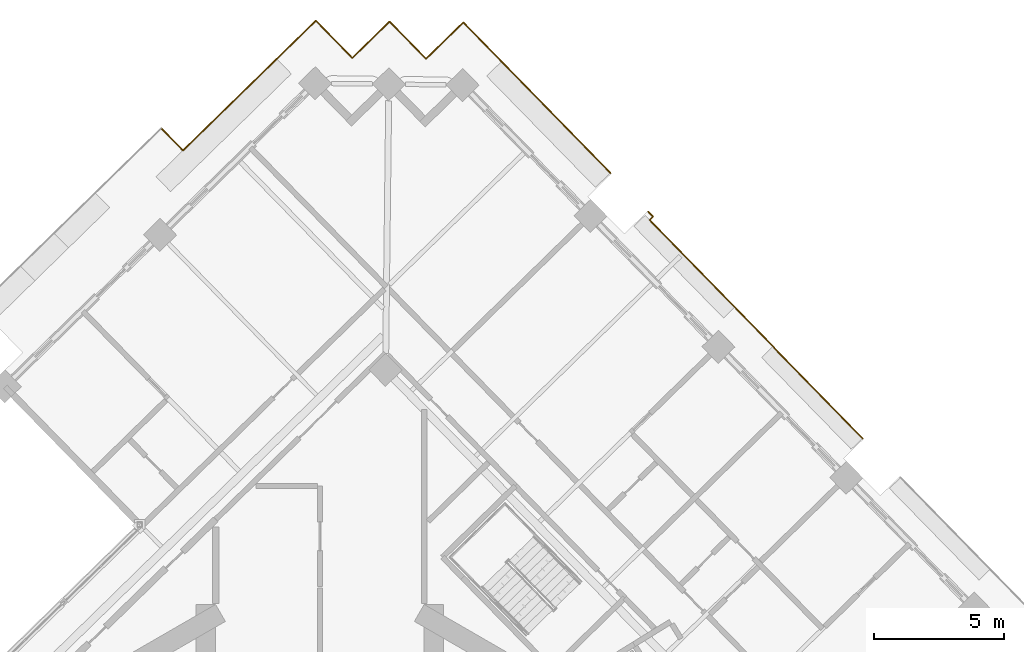
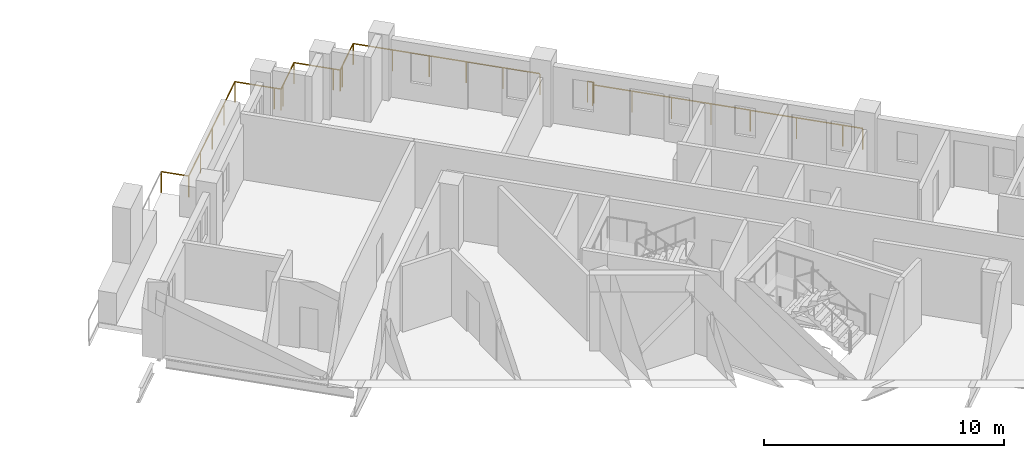
# One storey, part 20 of 21: 2 railings.
"""IFC4 building model written with IfcOpenShell, lengths in metres."""

from ifc_helpers import new_model, si_unit, direction, frame, origin, origin_2d, place, context, subcontext, project, spatial, circle, extrude, material, type_object, element, save


model = new_model("IFC4")

# Units and contexts
model_context = context("Model", 3, precision=1e-05, world=origin(), true_north=direction((0.0, 1.0)))
body_context = subcontext(model_context, "Body", "Model", "MODEL_VIEW")
ifc_project = project(units=[si_unit("LENGTHUNIT", "METRE"), si_unit("AREAUNIT", "SQUARE_METRE"), si_unit("VOLUMEUNIT", "CUBIC_METRE"), si_unit("PLANEANGLEUNIT", "RADIAN"), si_unit("MASSUNIT", "GRAM", prefix="KILO")], contexts=[model_context])

# Site, building, storey
site_placement = place(None, origin())
site = spatial("IfcSite", under=ifc_project, at=site_placement, CompositionType="ELEMENT")
building_placement = place(site_placement, origin())
building = spatial("IfcBuilding", under=site, at=building_placement, Name="Cantera Rosa Tower", CompositionType="ELEMENT")
storey_placement = place(building_placement, frame((0.0, 0.0, 234.199951171875)))
storey = spatial("IfcBuildingStorey", under=building, at=storey_placement, Name="L51", CompositionType="ELEMENT", Elevation=234.199951171875)

# Railings
ifc_material = material(Name="Stainless steel and laminated glass", Category="steel")
railing_type = type_object("IfcRailingType", Name="GUARD 1100", PredefinedType="BALUSTRADE", material=ifc_material)
railing_1_placement = place(storey_placement, frame((-6.08544921875, 28.230224609375, 0.0)))
element("IfcRailing", 1, at=railing_1_placement, inside=storey, type_object=railing_type, Name="GUARD L51-4", PredefinedType="BALUSTRADE", context=body_context, shape_type="SweptSolid", body=[
    extrude(circle(Radius=0.030029296875, at=origin_2d()), frame((0.0, 0.0, 1.070068359375), z_axis=(0.698890211106, -0.715228965311, 0.0), x_axis=(0.715228965311, 0.698890211106, 0.0)), (0.0, 0.0, 1.0), 1.1953125),
    extrude(circle(Radius=0.030029296875, at=origin_2d()), frame((0.83544921875, -0.85498046875, 1.070068359375), z_axis=(0.715295079704, 0.698822544678, 0.0), x_axis=(-0.698822544678, 0.715295079704, 0.0)), (0.0, 0.0, 1.0), 5.424560546875),
    extrude(circle(Radius=0.030029296875, at=origin_2d()), frame((4.715576171875, 2.935791015625, 1.070068359375), z_axis=(0.715316077832, 0.69880105094, 0.0), x_axis=(-0.69880105094, 0.715316077832, 0.0)), (0.0, 0.0, 1.0), 1.699951171875),
    extrude(circle(Radius=0.030029296875, at=origin_2d()), frame((5.931640625, 4.123779296875, 1.070068359375), z_axis=(0.698872839675, -0.715245939495, 0.0), x_axis=(0.715245939495, 0.698872839675, 0.0)), (0.0, 0.0, 1.0), 1.699951171875),
    extrude(circle(Radius=0.030029296875, at=origin_2d()), frame((7.11962890625, 2.907958984375, 1.070068359375), z_axis=(0.698506948293, -0.715603272202, 0.0), x_axis=(0.715603272202, 0.698506948293, 0.0)), (0.0, 0.0, 1.0), 0.2998046875),
    extrude(circle(Radius=0.030029296875, at=origin_2d()), frame((7.3291015625, 2.693359375, 1.070068359375), z_axis=(0.715196445894, 0.698923489218, 0.0), x_axis=(-0.698923489218, 0.715196445894, 0.0)), (0.0, 0.0, 1.0), 0.300048828125),
    extrude(circle(Radius=0.030029296875, at=origin_2d()), frame((7.543701171875, 2.903076171875, 1.070068359375), z_axis=(0.715316077832, 0.69880105094, 0.0), x_axis=(-0.69880105094, 0.715316077832, 0.0)), (0.0, 0.0, 1.0), 1.699951171875),
    extrude(circle(Radius=0.030029296875, at=origin_2d()), frame((8.759765625, 4.091064453125, 1.070068359375), z_axis=(0.69880105094, -0.715316077832, 0.0), x_axis=(0.715316077832, 0.69880105094, 0.0)), (0.0, 0.0, 1.0), 1.699951171875),
    extrude(circle(Radius=0.030029296875, at=origin_2d()), frame((9.94775390625, 2.875, 1.070068359375), z_axis=(0.698923489218, -0.715196445894, 0.0), x_axis=(0.715196445894, 0.698923489218, 0.0)), (0.0, 0.0, 1.0), 0.300048828125),
    extrude(circle(Radius=0.030029296875, at=origin_2d()), frame((10.157470703125, 2.660400390625, 1.070068359375), z_axis=(0.715196445894, 0.698923489218, 0.0), x_axis=(-0.698923489218, 0.715196445894, 0.0)), (0.0, 0.0, 1.0), 0.300048828125),
    extrude(circle(Radius=0.030029296875, at=origin_2d()), frame((10.3720703125, 2.8701171875, 1.070068359375), z_axis=(0.715316077832, 0.69880105094, 0.0), x_axis=(-0.69880105094, 0.715316077832, 0.0)), (0.0, 0.0, 1.0), 1.699951171875),
    extrude(circle(Radius=0.030029296875, at=origin_2d()), frame((11.588134765625, 4.05810546875, 1.070068359375), z_axis=(0.69880105094, -0.715316077832, 0.0), x_axis=(0.715316077832, 0.69880105094, 0.0)), (0.0, 0.0, 1.0), 1.699951171875),
    extrude(circle(Radius=0.030029296875, at=origin_2d()), frame((12.776123046875, 2.842041015625, 1.070068359375), z_axis=(0.698825008445, -0.715292672668, 0.0), x_axis=(0.715292672668, 0.698825008445, 0.0)), (0.0, 0.0, 1.0), 6.389892578125),
    extrude(circle(Radius=0.02490234375, at=origin_2d()), origin(), (0.0, 0.0, 1.0), 1.0400390625),
    extrude(circle(Radius=0.02490234375, at=origin_2d()), frame((0.83544921875, -0.85498046875, 0.0)), (0.0, 0.0, 1.0), 1.0400390625),
    extrude(circle(Radius=0.02490234375, at=origin_2d()), frame((2.12890625, 0.40869140625, 0.0)), (0.0, 0.0, 1.0), 1.0400390625),
    extrude(circle(Radius=0.02490234375, at=origin_2d()), frame((3.422119140625, 1.672119140625, 0.0)), (0.0, 0.0, 1.0), 1.0400390625),
    extrude(circle(Radius=0.02490234375, at=origin_2d()), frame((4.715576171875, 2.935791015625, 0.0)), (0.0, 0.0, 1.0), 1.0400390625),
    extrude(circle(Radius=0.02490234375, at=origin_2d()), frame((5.931640625, 4.123779296875, 0.0)), (0.0, 0.0, 1.0), 1.0400390625),
    extrude(circle(Radius=0.02490234375, at=origin_2d()), frame((7.11962890625, 2.907958984375, 0.0)), (0.0, 0.0, 1.0), 1.0400390625),
    extrude(circle(Radius=0.02490234375, at=origin_2d()), frame((7.3291015625, 2.693359375, 0.0)), (0.0, 0.0, 1.0), 1.0400390625),
    extrude(circle(Radius=0.02490234375, at=origin_2d()), frame((7.543701171875, 2.903076171875, 0.0)), (0.0, 0.0, 1.0), 1.0400390625),
    extrude(circle(Radius=0.02490234375, at=origin_2d()), frame((8.759765625, 4.091064453125, 0.0)), (0.0, 0.0, 1.0), 1.0400390625),
    extrude(circle(Radius=0.02490234375, at=origin_2d()), frame((9.94775390625, 2.875, 0.0)), (0.0, 0.0, 1.0), 1.0400390625),
    extrude(circle(Radius=0.02490234375, at=origin_2d()), frame((10.157470703125, 2.660400390625, 0.0)), (0.0, 0.0, 1.0), 1.0400390625),
    extrude(circle(Radius=0.02490234375, at=origin_2d()), frame((10.3720703125, 2.8701171875, 0.0)), (0.0, 0.0, 1.0), 1.0400390625),
    extrude(circle(Radius=0.02490234375, at=origin_2d()), frame((11.588134765625, 4.05810546875, 0.0)), (0.0, 0.0, 1.0), 1.0400390625),
    extrude(circle(Radius=0.02490234375, at=origin_2d()), frame((12.776123046875, 2.842041015625, 0.0)), (0.0, 0.0, 1.0), 1.0400390625),
    extrude(circle(Radius=0.02490234375, at=origin_2d()), frame((13.892578125, 1.699462890625, 0.0)), (0.0, 0.0, 1.0), 1.0400390625),
    extrude(circle(Radius=0.02490234375, at=origin_2d()), frame((15.0087890625, 0.556640625, 0.0)), (0.0, 0.0, 1.0), 1.0400390625),
    extrude(circle(Radius=0.02490234375, at=origin_2d()), frame((16.125, -0.5859375, 0.0)), (0.0, 0.0, 1.0), 1.0400390625),
    extrude(circle(Radius=0.02490234375, at=origin_2d()), frame((17.241455078125, -1.728515625, 0.0)), (0.0, 0.0, 1.0), 1.0400390625),
])
railing_2_placement = place(storey_placement, frame((12.595703125, 25.028076171875, 0.0)))
element("IfcRailing", 2, at=railing_2_placement, inside=storey, type_object=railing_type, Name="GUARD L51-9", PredefinedType="BALUSTRADE", context=body_context, shape_type="SweptSolid", body=[
    extrude(circle(Radius=0.030029296875, at=origin_2d()), frame((0.0, 0.0, 1.070068359375), z_axis=(0.698922436913, -0.715197474254, 0.0), x_axis=(0.715197474254, 0.698922436913, 0.0)), (0.0, 0.0, 1.0), 0.27001953125),
    extrude(circle(Radius=0.030029296875, at=origin_2d()), frame((0.188720703125, -0.193115234375, 1.070068359375), z_axis=(-0.715589832222, -0.698520716958, 0.0), x_axis=(0.698520716958, -0.715589832222, 0.0)), (0.0, 0.0, 1.0), 0.18603515625),
    extrude(circle(Radius=0.030029296875, at=origin_2d()), frame((0.0556640625, -0.322998046875, 1.070068359375), z_axis=(0.698824551526, -0.715293119067, 0.0), x_axis=(0.715293119067, 0.698824551526, 0.0)), (0.0, 0.0, 1.0), 6.834228515625),
    extrude(circle(Radius=0.030029296875, at=origin_2d()), frame((4.83154296875, -5.21142578125, 1.070068359375), z_axis=(-0.715781948377, -0.698323852075, 0.0), x_axis=(0.698323852075, -0.715781948377, 0.0)), (0.0, 0.0, 1.0), 0.013916015625),
    extrude(circle(Radius=0.030029296875, at=origin_2d()), frame((4.821533203125, -5.22119140625, 1.070068359375), z_axis=(0.698862096229, -0.715256436849, 0.0), x_axis=(0.715256436849, 0.698862096229, 0.0)), (0.0, 0.0, 1.0), 4.005859375),
    extrude(circle(Radius=0.030029296875, at=origin_2d()), frame((7.62109375, -8.08642578125, 1.070068359375), z_axis=(0.698779602308, -0.715337030636, 0.0), x_axis=(0.715337030636, 0.698779602308, 0.0)), (0.0, 0.0, 1.0), 0.869873046875),
    extrude(circle(Radius=0.02490234375, at=origin_2d()), origin(), (0.0, 0.0, 1.0), 1.0400390625),
    extrude(circle(Radius=0.02490234375, at=origin_2d()), frame((0.188720703125, -0.193115234375, 0.0)), (0.0, 0.0, 1.0), 1.0400390625),
    extrude(circle(Radius=0.02490234375, at=origin_2d()), frame((0.0556640625, -0.322998046875, 0.0)), (0.0, 0.0, 1.0), 1.0400390625),
    extrude(circle(Radius=0.02490234375, at=origin_2d()), frame((1.24951171875, -1.545166015625, 0.0)), (0.0, 0.0, 1.0), 1.0400390625),
    extrude(circle(Radius=0.02490234375, at=origin_2d()), frame((2.443603515625, -2.76708984375, 0.0)), (0.0, 0.0, 1.0), 1.0400390625),
    extrude(circle(Radius=0.02490234375, at=origin_2d()), frame((3.6376953125, -3.9892578125, 0.0)), (0.0, 0.0, 1.0), 1.0400390625),
    extrude(circle(Radius=0.02490234375, at=origin_2d()), frame((4.83154296875, -5.21142578125, 0.0)), (0.0, 0.0, 1.0), 1.0400390625),
    extrude(circle(Radius=0.02490234375, at=origin_2d()), frame((4.821533203125, -5.22119140625, 0.0)), (0.0, 0.0, 1.0), 1.0400390625),
    extrude(circle(Radius=0.02490234375, at=origin_2d()), frame((6.22119140625, -6.65380859375, 0.0)), (0.0, 0.0, 1.0), 1.0400390625),
    extrude(circle(Radius=0.02490234375, at=origin_2d()), frame((7.62109375, -8.08642578125, 0.0)), (0.0, 0.0, 1.0), 1.0400390625),
    extrude(circle(Radius=0.02490234375, at=origin_2d()), frame((8.22900390625, -8.708740234375, 0.0)), (0.0, 0.0, 1.0), 1.0400390625),
])

save(model, "model.ifc")
